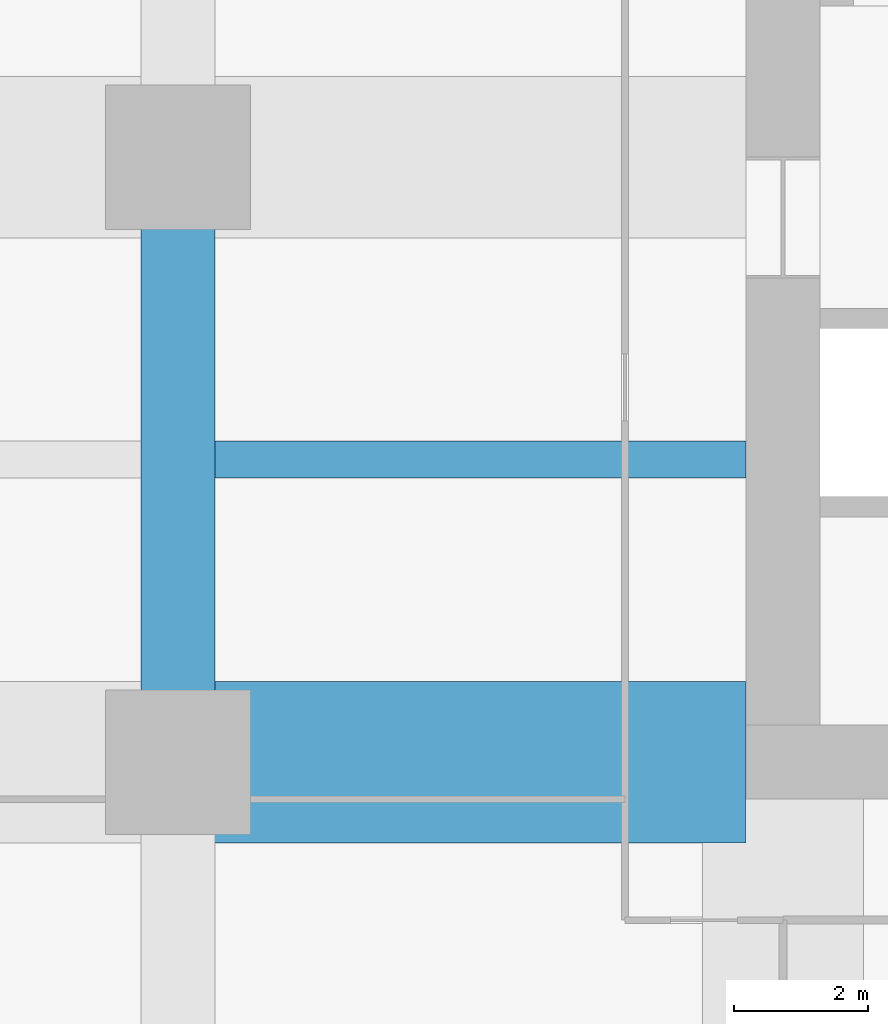
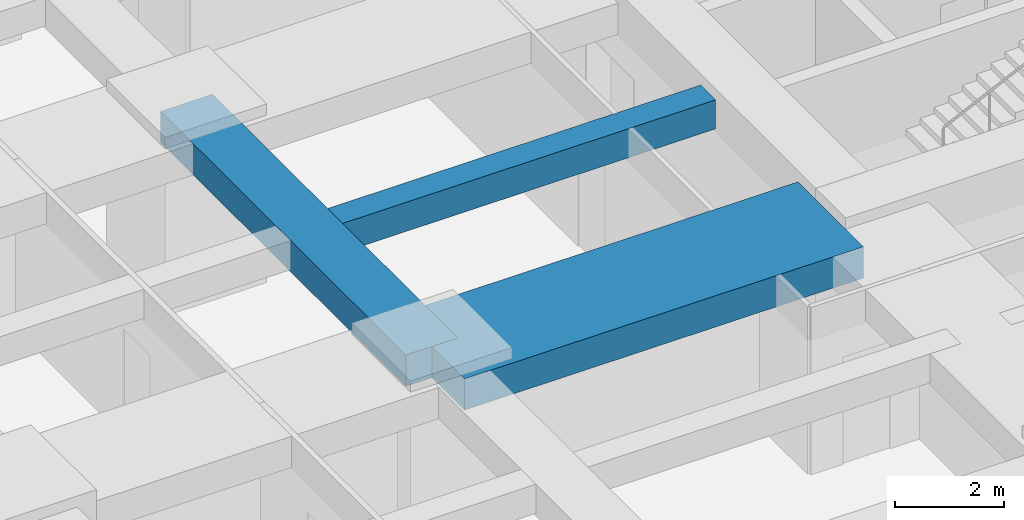
# One storey, part 9 of 45: 3 beams.
"""IFC4 building model written with IfcOpenShell, lengths in metres."""

from ifc_helpers import new_model, si_unit, direction, frame, origin, origin_2d, place, context, subcontext, project, spatial, rectangle, extrude, material, material_profile, profile_set, type_object, element, save


model = new_model("IFC4")

# Units and contexts
model_context = context("Model", 3, precision=1e-05, world=origin(), true_north=direction((0.0, 1.0)))
body_context = subcontext(model_context, "Body", "Model", "MODEL_VIEW")
ifc_project = project(units=[si_unit("LENGTHUNIT", "METRE"), si_unit("AREAUNIT", "SQUARE_METRE"), si_unit("VOLUMEUNIT", "CUBIC_METRE"), si_unit("PLANEANGLEUNIT", "RADIAN"), si_unit("MASSUNIT", "GRAM", prefix="KILO")], contexts=[model_context])

# Site, building, storey
site_placement = place(None, origin())
site = spatial("IfcSite", under=ifc_project, at=site_placement, CompositionType="ELEMENT")
building_placement = place(site_placement, origin())
building = spatial("IfcBuilding", under=site, at=building_placement, Name="Zorevar Civic Tower", CompositionType="ELEMENT")
storey_placement = place(building_placement, frame((0.0, 0.0, 71.800048828125)))
storey = spatial("IfcBuildingStorey", under=building, at=storey_placement, Name="L17", CompositionType="ELEMENT", Elevation=71.800048828125)

# Beams
ifc_material_1 = material(Name="Concrete C50/60", Category="concrete")
ifc_material_profile_1 = material_profile(ifc_material_1, rectangle(XDim=1.10009765625, YDim=0.699951171875, at=origin_2d()), Name="RC 1100x700")
ifc_profile_set_1 = profile_set([ifc_material_profile_1], Name="Concrete C50/60")
beam_type_1 = type_object("IfcBeamType", Name="Beam RC 1100x700", PredefinedType="BEAM", material=ifc_profile_set_1)
beam_1_placement = place(storey_placement, frame((9.0, 18.0, 3.39990234375), z_axis=(0.0, 1.0, 0.0), x_axis=(-1.0, 0.0, 0.0)))
element("IfcBeam", 1, at=beam_1_placement, inside=storey, type_object=beam_type_1, Name="Girder L18", PredefinedType="BEAM", context=body_context, shape_type="SweptSolid", body=[
    extrude(rectangle(XDim=1.10009765625, YDim=0.699951171875, at=origin_2d()), origin(), (0.0, 0.0, 1.0), 9.0),
])
ifc_material_2 = material(Name="Concrete C50/60", Category="concrete")
ifc_material_profile_2 = material_profile(ifc_material_2, rectangle(XDim=2.39990234375, YDim=0.699951171875, at=origin_2d()), Name="RC 2400x700")
ifc_profile_set_2 = profile_set([ifc_material_profile_2], Name="Concrete C50/60")
beam_type_2 = type_object("IfcBeamType", Name="Beam RC 2400x700", PredefinedType="BEAM", material=ifc_profile_set_2)
beam_2_placement = place(storey_placement, frame((9.0, 18.0, 3.39990234375), z_axis=(1.0, 0.0, 0.0), x_axis=(0.0, 1.0, 0.0)))
element("IfcBeam", 2, at=beam_2_placement, inside=storey, type_object=beam_type_2, Name="Girder L18", PredefinedType="BEAM", context=body_context, shape_type="SweptSolid", body=[
    extrude(rectangle(XDim=2.39990234375, YDim=0.699951171875, at=origin_2d()), origin(), (0.0, 0.0, 1.0), 8.449951171875),
])
ifc_material_3 = material(Name="Concrete C50/60", Category="concrete")
ifc_material_profile_3 = material_profile(ifc_material_3, rectangle(XDim=0.550048828125, YDim=0.64990234375, at=origin_2d()), Name="RC 550x650")
ifc_profile_set_3 = profile_set([ifc_material_profile_3], Name="Concrete C50/60")
beam_type_3 = type_object("IfcBeamType", Name="Beam RC 550x650", PredefinedType="BEAM", material=ifc_profile_set_3)
beam_3_placement = place(storey_placement, frame((9.550048828125, 22.5, 3.425048828125), z_axis=(1.0, 0.0, 0.0), x_axis=(0.0, 1.0, 0.0)))
element("IfcBeam", 3, at=beam_3_placement, inside=storey, type_object=beam_type_3, Name="Secondary beam L18", PredefinedType="BEAM", context=body_context, shape_type="SweptSolid", body=[
    extrude(rectangle(XDim=0.550048828125, YDim=0.64990234375, at=origin_2d()), origin(), (0.0, 0.0, 1.0), 7.89990234375),
])

save(model, "model.ifc")
